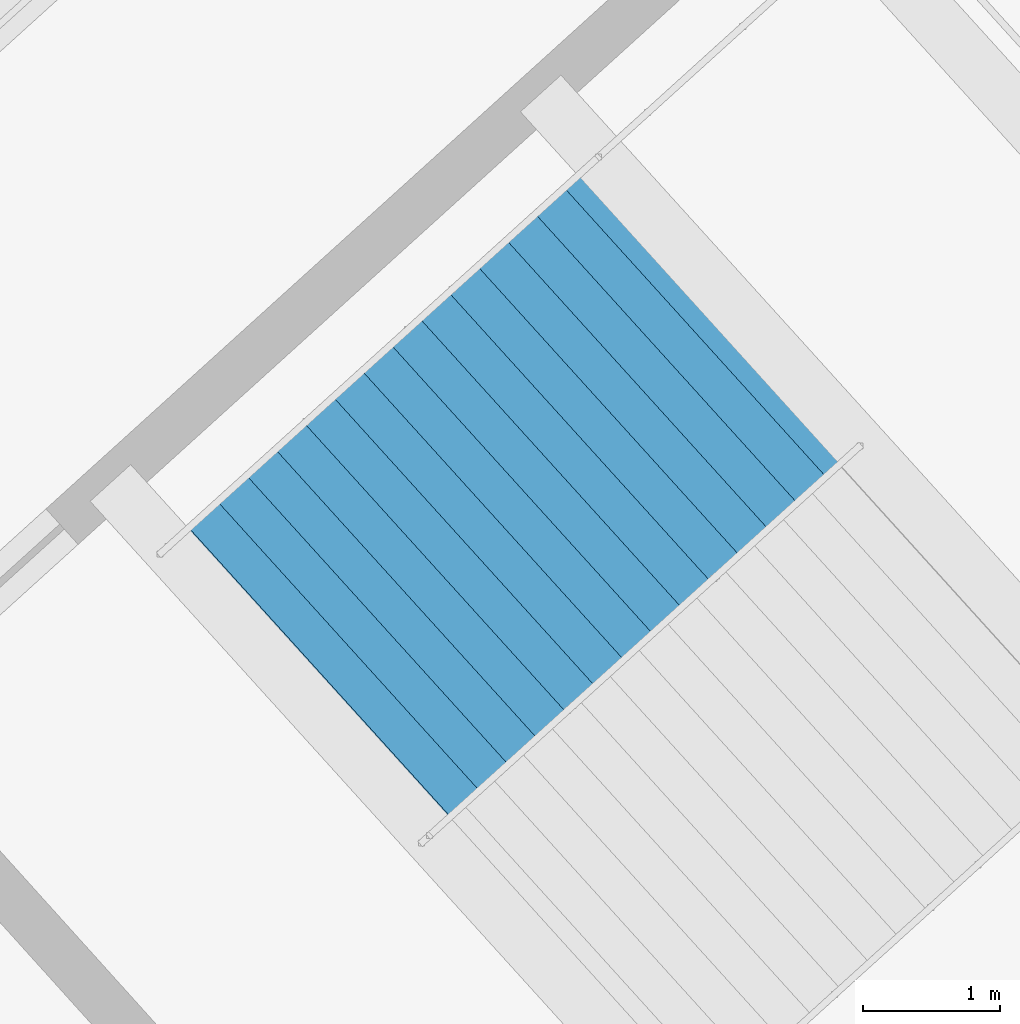
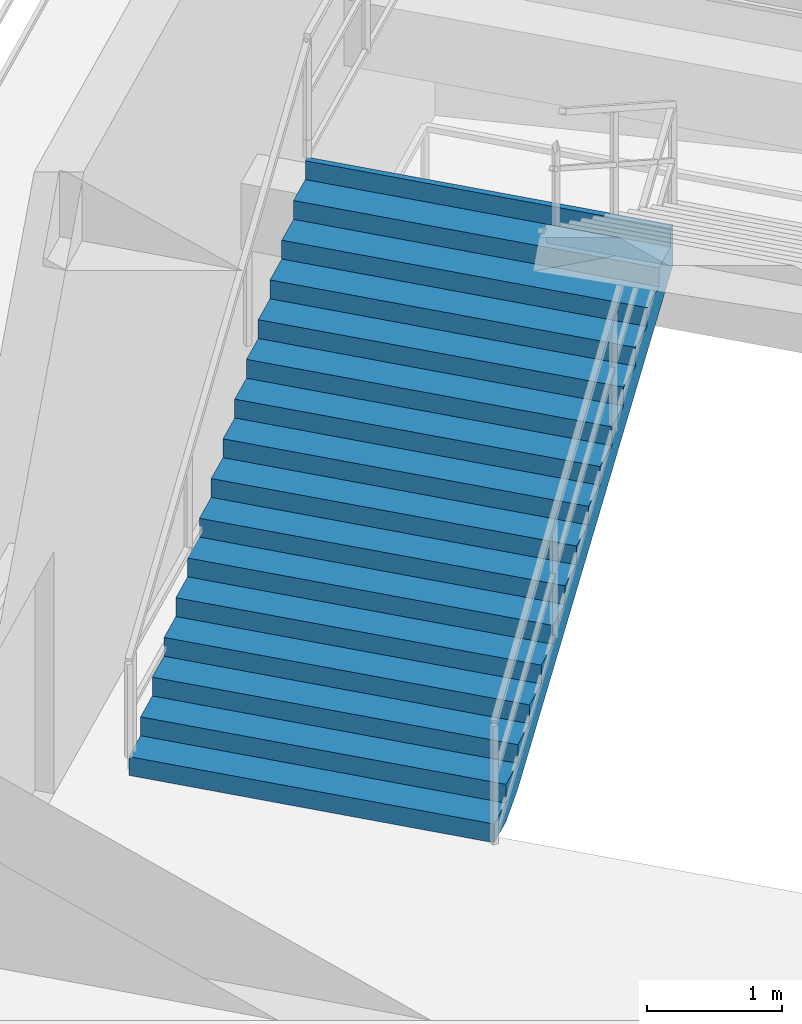
# One storey, part 77 of 86: 1 stair flight, 1 element without a shape of its own.
"""IFC4 building model written with IfcOpenShell, lengths in metres."""

from ifc_helpers import new_model, si_unit, direction, frame, origin, place, context, subcontext, project, spatial, polygons, material, type_object, element, aggregate, save


model = new_model("IFC4")

# Units and contexts
model_context = context("Model", 3, precision=1e-05, world=origin(), true_north=direction((0.0, 1.0)))
body_context = subcontext(model_context, "Body", "Model", "MODEL_VIEW")
ifc_project = project(units=[si_unit("LENGTHUNIT", "METRE"), si_unit("AREAUNIT", "SQUARE_METRE"), si_unit("VOLUMEUNIT", "CUBIC_METRE"), si_unit("PLANEANGLEUNIT", "RADIAN"), si_unit("MASSUNIT", "GRAM", prefix="KILO")], contexts=[model_context])

# Site, building, storey
site_placement = place(None, origin())
site = spatial("IfcSite", under=ifc_project, at=site_placement, CompositionType="ELEMENT")
building_placement = place(site_placement, origin())
building = spatial("IfcBuilding", under=site, at=building_placement, Name="Kazemori Nagisa Stadium", CompositionType="ELEMENT")
storey_placement = place(building_placement, frame((0.0, 0.0, 31.280029296875)))
storey = spatial("IfcBuildingStorey", under=building, at=storey_placement, Name="L06", CompositionType="ELEMENT", Elevation=31.280029296875)

# Stair, stair flight
ifc_material = material(Name="Concrete C36/45 (Fc36)", Category="concrete")
stair_type = type_object("IfcStairType", Name="Stair_CORE_32", PredefinedType="TWO_STRAIGHT_RUN_STAIR", material=ifc_material)
stair_placement = place(storey_placement, origin())
stair = element("IfcStair", 1, at=stair_placement, inside=storey, type_object=stair_type, Name="Exit stair ST04 L06", PredefinedType="TWO_STRAIGHT_RUN_STAIR")
stair_flight_type = type_object("IfcStairFlightType", Name="Flight_CORE_16", PredefinedType="STRAIGHT", material=ifc_material)
stair_flight_placement = place(storey_placement, frame((182.77587890625, 39.410400390625, 0.0), z_axis=(0.0, 0.0, 1.0), x_axis=(0.741328742395, 0.671142083093, 0.0)))
stair_flight = element("IfcStairFlight", 2, at=stair_flight_placement, type_object=stair_flight_type, Name="Exit stair ST04 L06 flight 1", NumberOfRisers=16, NumberOfTreads=15, PredefinedType="STRAIGHT", RiserHeight=0.17, TreadLength=0.285, context=body_context, shape_type="Tessellation", body=[
    polygons([(0.0, -1.425048828125, 0.0), (0.0, -1.425048828125, 0.169921875), (0.284912109375, -1.425048828125, 0.169921875), (0.284912109375, -1.425048828125, 0.340087890625), (0.570068359375, -1.425048828125, 0.340087890625), (0.570068359375, -1.425048828125, 0.510009765625), (0.85498046875, -1.425048828125, 0.510009765625), (0.85498046875, -1.425048828125, 0.679931640625), (1.139892578125, -1.425048828125, 0.679931640625), (1.139892578125, -1.425048828125, 0.85009765625), (1.425048828125, -1.425048828125, 0.85009765625), (1.425048828125, -1.425048828125, 1.02001953125), (1.7099609375, -1.425048828125, 1.02001953125), (1.7099609375, -1.425048828125, 1.18994140625), (1.9951171875, -1.425048828125, 1.18994140625), (1.9951171875, -1.425048828125, 1.360107421875), (2.280029296875, -1.425048828125, 1.360107421875), (2.280029296875, -1.425048828125, 1.530029296875), (2.56494140625, -1.425048828125, 1.530029296875), (2.56494140625, -1.425048828125, 1.699951171875), (2.85009765625, -1.425048828125, 1.699951171875), (2.85009765625, -1.425048828125, 1.8701171875), (3.135009765625, -1.425048828125, 1.8701171875), (3.135009765625, -1.425048828125, 2.0400390625), (3.419921875, -1.425048828125, 2.0400390625), (3.419921875, -1.425048828125, 2.2099609375), (3.705078125, -1.425048828125, 2.2099609375), (3.705078125, -1.425048828125, 2.3798828125), (3.989990234375, -1.425048828125, 2.3798828125), (3.989990234375, -1.425048828125, 2.550048828125), (4.27490234375, -1.425048828125, 2.550048828125), (4.27490234375, -1.425048828125, 2.719970703125), (4.324951171875, -1.425048828125, 2.719970703125), (4.324951171875, -1.425048828125, 2.346923828125), (4.27490234375, -1.425048828125, 2.317138671875), (3.989990234375, -1.425048828125, 2.147216796875), (3.705078125, -1.425048828125, 1.977294921875), (3.419921875, -1.425048828125, 1.80712890625), (3.135009765625, -1.425048828125, 1.63720703125), (2.85009765625, -1.425048828125, 1.46728515625), (2.56494140625, -1.425048828125, 1.297119140625), (2.280029296875, -1.425048828125, 1.127197265625), (1.9951171875, -1.425048828125, 0.957275390625), (1.7099609375, -1.425048828125, 0.787109375), (1.425048828125, -1.425048828125, 0.6171875), (1.139892578125, -1.425048828125, 0.447265625), (0.85498046875, -1.425048828125, 0.277099609375), (0.570068359375, -1.425048828125, 0.107177734375), (0.284912109375, -1.425048828125, 0.0), (0.0, -0.08544921875, 0.0), (0.0, -0.08544921875, 0.169921875), (0.284912109375, -0.08544921875, 0.169921875), (0.284912109375, -0.08544921875, 0.340087890625), (0.570068359375, -0.08544921875, 0.340087890625), (0.570068359375, -0.08544921875, 0.510009765625), (0.85498046875, -0.08544921875, 0.510009765625), (0.85498046875, -0.08544921875, 0.679931640625), (1.139892578125, -0.08544921875, 0.679931640625), (1.139892578125, -0.08544921875, 0.85009765625), (1.425048828125, -0.08544921875, 0.85009765625), (1.425048828125, -0.08544921875, 1.02001953125), (1.7099609375, -0.08544921875, 1.02001953125), (1.7099609375, -0.08544921875, 1.18994140625), (1.9951171875, -0.08544921875, 1.18994140625), (1.9951171875, -0.08544921875, 1.360107421875), (2.280029296875, -0.08544921875, 1.360107421875), (2.280029296875, -0.08544921875, 1.530029296875), (2.56494140625, -0.08544921875, 1.530029296875), (2.56494140625, -0.08544921875, 1.699951171875), (2.85009765625, -0.08544921875, 1.699951171875), (2.85009765625, -0.08544921875, 1.8701171875), (3.135009765625, -0.08544921875, 1.8701171875), (3.135009765625, -0.08544921875, 2.0400390625), (3.419921875, -0.08544921875, 2.0400390625), (3.419921875, -0.08544921875, 2.2099609375), (3.705078125, -0.08544921875, 2.2099609375), (3.705078125, -0.08544921875, 2.3798828125), (3.989990234375, -0.08544921875, 2.3798828125), (3.989990234375, -0.08544921875, 2.550048828125), (4.27490234375, -0.08544921875, 2.550048828125), (4.27490234375, -0.08544921875, 2.719970703125), (4.324951171875, -0.08544921875, 2.719970703125), (4.324951171875, -0.08544921875, 2.346923828125), (4.27490234375, -0.08544921875, 2.317138671875), (3.989990234375, -0.08544921875, 2.147216796875), (3.705078125, -0.08544921875, 1.977294921875), (3.419921875, -0.08544921875, 1.80712890625), (3.135009765625, -0.08544921875, 1.63720703125), (2.85009765625, -0.08544921875, 1.46728515625), (2.56494140625, -0.08544921875, 1.297119140625), (2.280029296875, -0.08544921875, 1.127197265625), (1.9951171875, -0.08544921875, 0.957275390625), (1.7099609375, -0.08544921875, 0.787109375), (1.425048828125, -0.08544921875, 0.6171875), (1.139892578125, -0.08544921875, 0.447265625), (0.85498046875, -0.08544921875, 0.277099609375), (0.570068359375, -0.08544921875, 0.107177734375), (0.284912109375, -0.08544921875, 0.0), (0.0, 0.0, 0.0), (0.0, 0.0, 0.169921875), (0.284912109375, 0.0, 0.169921875), (0.284912109375, 0.0, 0.340087890625), (0.570068359375, 0.0, 0.340087890625), (0.570068359375, 0.0, 0.510009765625), (0.85498046875, 0.0, 0.510009765625), (0.85498046875, 0.0, 0.679931640625), (1.139892578125, 0.0, 0.679931640625), (1.139892578125, 0.0, 0.85009765625), (1.425048828125, 0.0, 0.85009765625), (1.425048828125, 0.0, 1.02001953125), (1.7099609375, 0.0, 1.02001953125), (1.7099609375, 0.0, 1.18994140625), (1.9951171875, 0.0, 1.18994140625), (1.9951171875, 0.0, 1.360107421875), (2.280029296875, 0.0, 1.360107421875), (2.280029296875, 0.0, 1.530029296875), (2.56494140625, 0.0, 1.530029296875), (2.56494140625, 0.0, 1.699951171875), (2.85009765625, 0.0, 1.699951171875), (2.85009765625, 0.0, 1.8701171875), (3.135009765625, 0.0, 1.8701171875), (3.135009765625, 0.0, 2.0400390625), (3.419921875, 0.0, 2.0400390625), (3.419921875, 0.0, 2.2099609375), (3.705078125, 0.0, 2.2099609375), (3.705078125, 0.0, 2.3798828125), (3.989990234375, 0.0, 2.3798828125), (3.989990234375, 0.0, 2.550048828125), (4.27490234375, 0.0, 2.550048828125), (4.27490234375, 0.0, 2.719970703125), (4.324951171875, 0.0, 2.719970703125), (4.324951171875, 0.0, 2.346923828125), (4.27490234375, 0.0, 2.317138671875), (3.989990234375, 0.0, 2.147216796875), (3.705078125, 0.0, 1.977294921875), (3.419921875, 0.0, 1.80712890625), (3.135009765625, 0.0, 1.63720703125), (2.85009765625, 0.0, 1.46728515625), (2.56494140625, 0.0, 1.297119140625), (2.280029296875, 0.0, 1.127197265625), (1.9951171875, 0.0, 0.957275390625), (1.7099609375, 0.0, 0.787109375), (1.425048828125, 0.0, 0.6171875), (1.139892578125, 0.0, 0.447265625), (0.85498046875, 0.0, 0.277099609375), (0.570068359375, 0.0, 0.107177734375), (0.284912109375, 0.0, 0.0), (0.0, 0.08544921875, 0.0), (0.0, 0.08544921875, 0.169921875), (0.284912109375, 0.08544921875, 0.169921875), (0.284912109375, 0.08544921875, 0.340087890625), (0.570068359375, 0.08544921875, 0.340087890625), (0.570068359375, 0.08544921875, 0.510009765625), (0.85498046875, 0.08544921875, 0.510009765625), (0.85498046875, 0.08544921875, 0.679931640625), (1.139892578125, 0.08544921875, 0.679931640625), (1.139892578125, 0.08544921875, 0.85009765625), (1.425048828125, 0.08544921875, 0.85009765625), (1.425048828125, 0.08544921875, 1.02001953125), (1.7099609375, 0.08544921875, 1.02001953125), (1.7099609375, 0.08544921875, 1.18994140625), (1.9951171875, 0.08544921875, 1.18994140625), (1.9951171875, 0.08544921875, 1.360107421875), (2.280029296875, 0.08544921875, 1.360107421875), (2.280029296875, 0.08544921875, 1.530029296875), (2.56494140625, 0.08544921875, 1.530029296875), (2.56494140625, 0.08544921875, 1.699951171875), (2.85009765625, 0.08544921875, 1.699951171875), (2.85009765625, 0.08544921875, 1.8701171875), (3.135009765625, 0.08544921875, 1.8701171875), (3.135009765625, 0.08544921875, 2.0400390625), (3.419921875, 0.08544921875, 2.0400390625), (3.419921875, 0.08544921875, 2.2099609375), (3.705078125, 0.08544921875, 2.2099609375), (3.705078125, 0.08544921875, 2.3798828125), (3.989990234375, 0.08544921875, 2.3798828125), (3.989990234375, 0.08544921875, 2.550048828125), (4.27490234375, 0.08544921875, 2.550048828125), (4.27490234375, 0.08544921875, 2.719970703125), (4.324951171875, 0.08544921875, 2.719970703125), (4.324951171875, 0.08544921875, 2.346923828125), (4.27490234375, 0.08544921875, 2.317138671875), (3.989990234375, 0.08544921875, 2.147216796875), (3.705078125, 0.08544921875, 1.977294921875), (3.419921875, 0.08544921875, 1.80712890625), (3.135009765625, 0.08544921875, 1.63720703125), (2.85009765625, 0.08544921875, 1.46728515625), (2.56494140625, 0.08544921875, 1.297119140625), (2.280029296875, 0.08544921875, 1.127197265625), (1.9951171875, 0.08544921875, 0.957275390625), (1.7099609375, 0.08544921875, 0.787109375), (1.425048828125, 0.08544921875, 0.6171875), (1.139892578125, 0.08544921875, 0.447265625), (0.85498046875, 0.08544921875, 0.277099609375), (0.570068359375, 0.08544921875, 0.107177734375), (0.284912109375, 0.08544921875, 0.0), (0.0, 1.425048828125, 0.0), (0.0, 1.425048828125, 0.169921875), (0.284912109375, 1.425048828125, 0.169921875), (0.284912109375, 1.425048828125, 0.340087890625), (0.570068359375, 1.425048828125, 0.340087890625), (0.570068359375, 1.425048828125, 0.510009765625), (0.85498046875, 1.425048828125, 0.510009765625), (0.85498046875, 1.425048828125, 0.679931640625), (1.139892578125, 1.425048828125, 0.679931640625), (1.139892578125, 1.425048828125, 0.85009765625), (1.425048828125, 1.425048828125, 0.85009765625), (1.425048828125, 1.425048828125, 1.02001953125), (1.7099609375, 1.425048828125, 1.02001953125), (1.7099609375, 1.425048828125, 1.18994140625), (1.9951171875, 1.425048828125, 1.18994140625), (1.9951171875, 1.425048828125, 1.360107421875), (2.280029296875, 1.425048828125, 1.360107421875), (2.280029296875, 1.425048828125, 1.530029296875), (2.56494140625, 1.425048828125, 1.530029296875), (2.56494140625, 1.425048828125, 1.699951171875), (2.85009765625, 1.425048828125, 1.699951171875), (2.85009765625, 1.425048828125, 1.8701171875), (3.135009765625, 1.425048828125, 1.8701171875), (3.135009765625, 1.425048828125, 2.0400390625), (3.419921875, 1.425048828125, 2.0400390625), (3.419921875, 1.425048828125, 2.2099609375), (3.705078125, 1.425048828125, 2.2099609375), (3.705078125, 1.425048828125, 2.3798828125), (3.989990234375, 1.425048828125, 2.3798828125), (3.989990234375, 1.425048828125, 2.550048828125), (4.27490234375, 1.425048828125, 2.550048828125), (4.27490234375, 1.425048828125, 2.719970703125), (4.324951171875, 1.425048828125, 2.719970703125), (4.324951171875, 1.425048828125, 2.346923828125), (4.27490234375, 1.425048828125, 2.317138671875), (3.989990234375, 1.425048828125, 2.147216796875), (3.705078125, 1.425048828125, 1.977294921875), (3.419921875, 1.425048828125, 1.80712890625), (3.135009765625, 1.425048828125, 1.63720703125), (2.85009765625, 1.425048828125, 1.46728515625), (2.56494140625, 1.425048828125, 1.297119140625), (2.280029296875, 1.425048828125, 1.127197265625), (1.9951171875, 1.425048828125, 0.957275390625), (1.7099609375, 1.425048828125, 0.787109375), (1.425048828125, 1.425048828125, 0.6171875), (1.139892578125, 1.425048828125, 0.447265625), (0.85498046875, 1.425048828125, 0.277099609375), (0.570068359375, 1.425048828125, 0.107177734375), (0.284912109375, 1.425048828125, 0.0)], [[[1, 2, 51]], [[1, 51, 50]], [[2, 3, 52]], [[2, 52, 51]], [[3, 4, 53]], [[3, 53, 52]], [[4, 5, 54]], [[4, 54, 53]], [[5, 6, 55]], [[5, 55, 54]], [[6, 7, 56]], [[6, 56, 55]], [[7, 8, 57]], [[7, 57, 56]], [[8, 9, 58]], [[8, 58, 57]], [[9, 10, 59]], [[9, 59, 58]], [[10, 11, 60]], [[10, 60, 59]], [[11, 12, 61]], [[11, 61, 60]], [[12, 13, 62]], [[12, 62, 61]], [[13, 14, 63]], [[13, 63, 62]], [[14, 15, 64]], [[14, 64, 63]], [[15, 16, 65]], [[15, 65, 64]], [[16, 17, 66]], [[16, 66, 65]], [[17, 18, 67]], [[17, 67, 66]], [[18, 19, 68]], [[18, 68, 67]], [[19, 20, 69]], [[19, 69, 68]], [[20, 21, 70]], [[20, 70, 69]], [[21, 22, 71]], [[21, 71, 70]], [[22, 23, 72]], [[22, 72, 71]], [[23, 24, 73]], [[23, 73, 72]], [[24, 25, 74]], [[24, 74, 73]], [[25, 26, 75]], [[25, 75, 74]], [[26, 27, 76]], [[26, 76, 75]], [[27, 28, 77]], [[27, 77, 76]], [[28, 29, 78]], [[28, 78, 77]], [[29, 30, 79]], [[29, 79, 78]], [[30, 31, 80]], [[30, 80, 79]], [[31, 32, 81]], [[31, 81, 80]], [[32, 33, 82]], [[32, 82, 81]], [[33, 34, 83]], [[33, 83, 82]], [[34, 35, 84]], [[34, 84, 83]], [[35, 36, 85]], [[35, 85, 84]], [[36, 37, 86]], [[36, 86, 85]], [[37, 38, 87]], [[37, 87, 86]], [[38, 39, 88]], [[38, 88, 87]], [[39, 40, 89]], [[39, 89, 88]], [[40, 41, 90]], [[40, 90, 89]], [[41, 42, 91]], [[41, 91, 90]], [[42, 43, 92]], [[42, 92, 91]], [[43, 44, 93]], [[43, 93, 92]], [[44, 45, 94]], [[44, 94, 93]], [[45, 46, 95]], [[45, 95, 94]], [[46, 47, 96]], [[46, 96, 95]], [[47, 48, 97]], [[47, 97, 96]], [[48, 49, 98]], [[48, 98, 97]], [[49, 1, 50]], [[49, 50, 98]], [[50, 51, 100]], [[50, 100, 99]], [[51, 52, 101]], [[51, 101, 100]], [[52, 53, 102]], [[52, 102, 101]], [[53, 54, 103]], [[53, 103, 102]], [[54, 55, 104]], [[54, 104, 103]], [[55, 56, 105]], [[55, 105, 104]], [[56, 57, 106]], [[56, 106, 105]], [[57, 58, 107]], [[57, 107, 106]], [[58, 59, 108]], [[58, 108, 107]], [[59, 60, 109]], [[59, 109, 108]], [[60, 61, 110]], [[60, 110, 109]], [[61, 62, 111]], [[61, 111, 110]], [[62, 63, 112]], [[62, 112, 111]], [[63, 64, 113]], [[63, 113, 112]], [[64, 65, 114]], [[64, 114, 113]], [[65, 66, 115]], [[65, 115, 114]], [[66, 67, 116]], [[66, 116, 115]], [[67, 68, 117]], [[67, 117, 116]], [[68, 69, 118]], [[68, 118, 117]], [[69, 70, 119]], [[69, 119, 118]], [[70, 71, 120]], [[70, 120, 119]], [[71, 72, 121]], [[71, 121, 120]], [[72, 73, 122]], [[72, 122, 121]], [[73, 74, 123]], [[73, 123, 122]], [[74, 75, 124]], [[74, 124, 123]], [[75, 76, 125]], [[75, 125, 124]], [[76, 77, 126]], [[76, 126, 125]], [[77, 78, 127]], [[77, 127, 126]], [[78, 79, 128]], [[78, 128, 127]], [[79, 80, 129]], [[79, 129, 128]], [[80, 81, 130]], [[80, 130, 129]], [[81, 82, 131]], [[81, 131, 130]], [[82, 83, 132]], [[82, 132, 131]], [[83, 84, 133]], [[83, 133, 132]], [[84, 85, 134]], [[84, 134, 133]], [[85, 86, 135]], [[85, 135, 134]], [[86, 87, 136]], [[86, 136, 135]], [[87, 88, 137]], [[87, 137, 136]], [[88, 89, 138]], [[88, 138, 137]], [[89, 90, 139]], [[89, 139, 138]], [[90, 91, 140]], [[90, 140, 139]], [[91, 92, 141]], [[91, 141, 140]], [[92, 93, 142]], [[92, 142, 141]], [[93, 94, 143]], [[93, 143, 142]], [[94, 95, 144]], [[94, 144, 143]], [[95, 96, 145]], [[95, 145, 144]], [[96, 97, 146]], [[96, 146, 145]], [[97, 98, 147]], [[97, 147, 146]], [[98, 50, 99]], [[98, 99, 147]], [[99, 100, 149]], [[99, 149, 148]], [[100, 101, 150]], [[100, 150, 149]], [[101, 102, 151]], [[101, 151, 150]], [[102, 103, 152]], [[102, 152, 151]], [[103, 104, 153]], [[103, 153, 152]], [[104, 105, 154]], [[104, 154, 153]], [[105, 106, 155]], [[105, 155, 154]], [[106, 107, 156]], [[106, 156, 155]], [[107, 108, 157]], [[107, 157, 156]], [[108, 109, 158]], [[108, 158, 157]], [[109, 110, 159]], [[109, 159, 158]], [[110, 111, 160]], [[110, 160, 159]], [[111, 112, 161]], [[111, 161, 160]], [[112, 113, 162]], [[112, 162, 161]], [[113, 114, 163]], [[113, 163, 162]], [[114, 115, 164]], [[114, 164, 163]], [[115, 116, 165]], [[115, 165, 164]], [[116, 117, 166]], [[116, 166, 165]], [[117, 118, 167]], [[117, 167, 166]], [[118, 119, 168]], [[118, 168, 167]], [[119, 120, 169]], [[119, 169, 168]], [[120, 121, 170]], [[120, 170, 169]], [[121, 122, 171]], [[121, 171, 170]], [[122, 123, 172]], [[122, 172, 171]], [[123, 124, 173]], [[123, 173, 172]], [[124, 125, 174]], [[124, 174, 173]], [[125, 126, 175]], [[125, 175, 174]], [[126, 127, 176]], [[126, 176, 175]], [[127, 128, 177]], [[127, 177, 176]], [[128, 129, 178]], [[128, 178, 177]], [[129, 130, 179]], [[129, 179, 178]], [[130, 131, 180]], [[130, 180, 179]], [[131, 132, 181]], [[131, 181, 180]], [[132, 133, 182]], [[132, 182, 181]], [[133, 134, 183]], [[133, 183, 182]], [[134, 135, 184]], [[134, 184, 183]], [[135, 136, 185]], [[135, 185, 184]], [[136, 137, 186]], [[136, 186, 185]], [[137, 138, 187]], [[137, 187, 186]], [[138, 139, 188]], [[138, 188, 187]], [[139, 140, 189]], [[139, 189, 188]], [[140, 141, 190]], [[140, 190, 189]], [[141, 142, 191]], [[141, 191, 190]], [[142, 143, 192]], [[142, 192, 191]], [[143, 144, 193]], [[143, 193, 192]], [[144, 145, 194]], [[144, 194, 193]], [[145, 146, 195]], [[145, 195, 194]], [[146, 147, 196]], [[146, 196, 195]], [[147, 99, 148]], [[147, 148, 196]], [[148, 149, 198]], [[148, 198, 197]], [[149, 150, 199]], [[149, 199, 198]], [[150, 151, 200]], [[150, 200, 199]], [[151, 152, 201]], [[151, 201, 200]], [[152, 153, 202]], [[152, 202, 201]], [[153, 154, 203]], [[153, 203, 202]], [[154, 155, 204]], [[154, 204, 203]], [[155, 156, 205]], [[155, 205, 204]], [[156, 157, 206]], [[156, 206, 205]], [[157, 158, 207]], [[157, 207, 206]], [[158, 159, 208]], [[158, 208, 207]], [[159, 160, 209]], [[159, 209, 208]], [[160, 161, 210]], [[160, 210, 209]], [[161, 162, 211]], [[161, 211, 210]], [[162, 163, 212]], [[162, 212, 211]], [[163, 164, 213]], [[163, 213, 212]], [[164, 165, 214]], [[164, 214, 213]], [[165, 166, 215]], [[165, 215, 214]], [[166, 167, 216]], [[166, 216, 215]], [[167, 168, 217]], [[167, 217, 216]], [[168, 169, 218]], [[168, 218, 217]], [[169, 170, 219]], [[169, 219, 218]], [[170, 171, 220]], [[170, 220, 219]], [[171, 172, 221]], [[171, 221, 220]], [[172, 173, 222]], [[172, 222, 221]], [[173, 174, 223]], [[173, 223, 222]], [[174, 175, 224]], [[174, 224, 223]], [[175, 176, 225]], [[175, 225, 224]], [[176, 177, 226]], [[176, 226, 225]], [[177, 178, 227]], [[177, 227, 226]], [[178, 179, 228]], [[178, 228, 227]], [[179, 180, 229]], [[179, 229, 228]], [[180, 181, 230]], [[180, 230, 229]], [[181, 182, 231]], [[181, 231, 230]], [[182, 183, 232]], [[182, 232, 231]], [[183, 184, 233]], [[183, 233, 232]], [[184, 185, 234]], [[184, 234, 233]], [[185, 186, 235]], [[185, 235, 234]], [[186, 187, 236]], [[186, 236, 235]], [[187, 188, 237]], [[187, 237, 236]], [[188, 189, 238]], [[188, 238, 237]], [[189, 190, 239]], [[189, 239, 238]], [[190, 191, 240]], [[190, 240, 239]], [[191, 192, 241]], [[191, 241, 240]], [[192, 193, 242]], [[192, 242, 241]], [[193, 194, 243]], [[193, 243, 242]], [[194, 195, 244]], [[194, 244, 243]], [[195, 196, 245]], [[195, 245, 244]], [[196, 148, 197]], [[196, 197, 245]], [[3, 2, 1]], [[197, 198, 199]], [[49, 3, 1]], [[197, 199, 245]], [[48, 3, 49]], [[245, 199, 244]], [[5, 3, 48]], [[244, 199, 201]], [[5, 4, 3]], [[199, 200, 201]], [[47, 5, 48]], [[244, 201, 243]], [[7, 5, 47]], [[243, 201, 203]], [[7, 6, 5]], [[201, 202, 203]], [[46, 7, 47]], [[243, 203, 242]], [[9, 7, 46]], [[242, 203, 205]], [[9, 8, 7]], [[203, 204, 205]], [[45, 9, 46]], [[242, 205, 241]], [[11, 9, 45]], [[241, 205, 207]], [[11, 10, 9]], [[205, 206, 207]], [[44, 11, 45]], [[241, 207, 240]], [[13, 11, 44]], [[240, 207, 209]], [[13, 12, 11]], [[207, 208, 209]], [[43, 13, 44]], [[240, 209, 239]], [[15, 13, 43]], [[239, 209, 211]], [[15, 14, 13]], [[209, 210, 211]], [[42, 15, 43]], [[239, 211, 238]], [[17, 15, 42]], [[238, 211, 213]], [[17, 16, 15]], [[211, 212, 213]], [[41, 17, 42]], [[238, 213, 237]], [[19, 17, 41]], [[237, 213, 215]], [[19, 18, 17]], [[213, 214, 215]], [[40, 19, 41]], [[237, 215, 236]], [[21, 19, 40]], [[236, 215, 217]], [[21, 20, 19]], [[215, 216, 217]], [[39, 21, 40]], [[236, 217, 235]], [[23, 21, 39]], [[235, 217, 219]], [[23, 22, 21]], [[217, 218, 219]], [[38, 23, 39]], [[235, 219, 234]], [[25, 23, 38]], [[234, 219, 221]], [[25, 24, 23]], [[219, 220, 221]], [[37, 25, 38]], [[234, 221, 233]], [[27, 25, 37]], [[233, 221, 223]], [[27, 26, 25]], [[221, 222, 223]], [[36, 27, 37]], [[233, 223, 232]], [[29, 27, 36]], [[232, 223, 225]], [[29, 28, 27]], [[223, 224, 225]], [[35, 29, 36]], [[232, 225, 231]], [[31, 29, 35]], [[231, 225, 227]], [[31, 30, 29]], [[225, 226, 227]], [[34, 31, 35]], [[231, 227, 230]], [[33, 31, 34]], [[230, 227, 229]], [[33, 32, 31]], [[227, 228, 229]]], closed=True),
])
aggregate(stair, [stair_flight])

save(model, "model.ifc")
